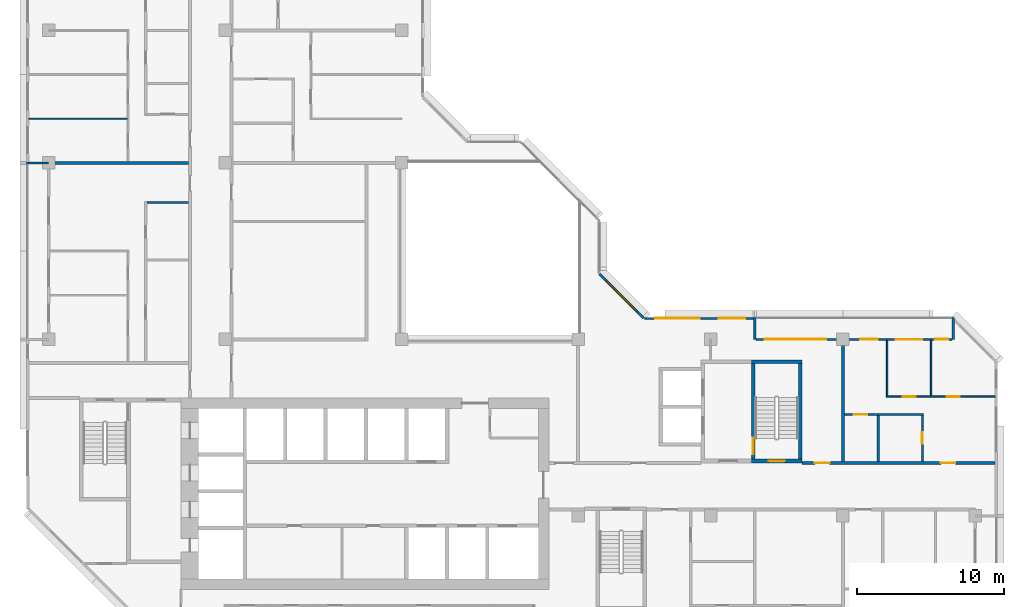
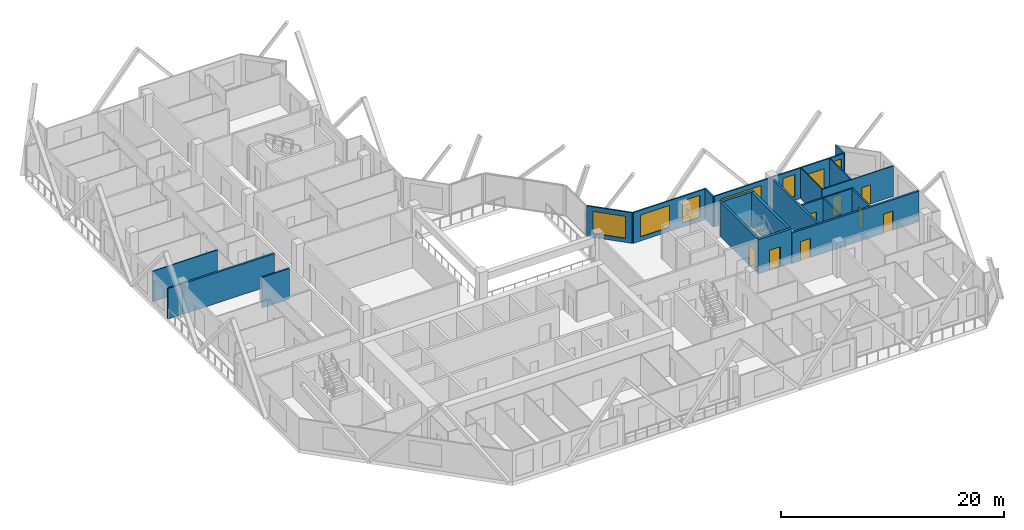
# One storey, part 8 of 16: 21 walls, 9 doors, 6 windows, 15 openings.
"""IFC4 building model written with IfcOpenShell, lengths in metres."""

from ifc_helpers import new_model, si_unit, direction, frame, frame_2d, origin, place, context, subcontext, project, spatial, rectangle, extrude, material, layer, layer_set, type_object, element, fill, save


model = new_model("IFC4")

# Units and contexts
model_context = context("Model", 3, precision=1e-05, world=origin(), true_north=direction((0.0, 1.0)))
body_context = subcontext(model_context, "Body", "Model", "MODEL_VIEW")
ifc_project = project(units=[si_unit("LENGTHUNIT", "METRE"), si_unit("AREAUNIT", "SQUARE_METRE"), si_unit("VOLUMEUNIT", "CUBIC_METRE"), si_unit("PLANEANGLEUNIT", "RADIAN"), si_unit("MASSUNIT", "GRAM", prefix="KILO")], contexts=[model_context])

# Site, building, storey
site_placement = place(None, origin())
site = spatial("IfcSite", under=ifc_project, at=site_placement, CompositionType="ELEMENT")
building_placement = place(site_placement, origin())
building = spatial("IfcBuilding", under=site, at=building_placement, Name="Chenar Terraces", CompositionType="ELEMENT")
storey_placement = place(building_placement, frame((0.0, 0.0, 219.14990234375)))
storey = spatial("IfcBuildingStorey", under=building, at=storey_placement, Name="L51", CompositionType="ELEMENT", Elevation=219.14990234375)

# Wall, opening, door
ifc_material_1 = material(Name="Concrete C60/75", Category="concrete")
ifc_layer_1 = layer(ifc_material_1, 0.25)
ifc_layer_set_1 = layer_set([ifc_layer_1], Name="Concrete C60/75")
wall_type_1 = type_object("IfcWallType", Name="Core wall 250 Concrete C60/75", PredefinedType="SHEAR", material=ifc_layer_set_1)
wall_1_placement = place(storey_placement, frame((47.77490234375, 15.72509765625, 0.0), z_axis=(0.0, 0.0, 1.0), x_axis=(1.0, 0.0, 0.0)))
wall_1 = element("IfcWall", 1, at=wall_1_placement, inside=storey, type_object=wall_type_1, Name="Core wall ST3_S L51", PredefinedType="SHEAR", context=body_context, shape_type="SweptSolid", body=[
    extrude(rectangle(XDim=3.4501953125, YDim=0.25, at=frame_2d((1.72509765625, 0.0))), origin(), (0.0, 0.0, 1.0), 3.75),
])
opening_1_placement = place(wall_1_placement, frame((1.175048828125, 0.0, 0.0)))
opening_1 = element("IfcOpeningElement", 2, at=opening_1_placement, cuts=wall_1, Name="Opening DL51-C8", PredefinedType="OPENING", context=body_context, shape_type="SweptSolid", body=[
    extrude(rectangle(XDim=1.10009765625, YDim=2.199951171875, at=frame_2d((0.550048828125, 1.10009765625))), frame((0.0, 0.135009765625, 0.0), z_axis=(0.0, -1.0, 0.0), x_axis=(1.0, 0.0, 0.0)), (0.0, 0.0, 1.0), 0.27001953125),
])
ifc_material_2 = material(Name="Steel-framed fire-resisting door leaf", Category="steel")
door_type_1 = type_object("IfcDoorType", Name="Stair fire door FD60 1100 x 2200", OperationType="SINGLE_SWING_LEFT", PredefinedType="DOOR", material=ifc_material_2)
door_1_placement = place(opening_1_placement, frame((1.10009765625, 0.0, 0.0), z_axis=(0.0, 0.0, 1.0), x_axis=(-1.0, 0.0, 0.0)))
door_1 = element("IfcDoor", 3, at=door_1_placement, inside=storey, type_object=door_type_1, Name="Stair door DL51-C8", OperationType="SINGLE_SWING_LEFT", OverallHeight=2.199951171875, OverallWidth=1.10009765625, PredefinedType="DOOR", context=body_context, shape_type="SweptSolid", body=[
    extrude(rectangle(XDim=1.10009765625, YDim=2.199951171875, at=frame_2d((0.550048828125, 1.10009765625))), frame((0.0, 0.02490234375, 0.0), z_axis=(0.0, -1.0, 0.0), x_axis=(1.0, 0.0, 0.0)), (0.0, 0.0, 1.0), 0.050048828125),
])
fill(opening_1, door_1)

# Wall
wall_2_placement = place(storey_placement, frame((47.77490234375, 22.47509765625, 0.0), z_axis=(0.0, 0.0, 1.0), x_axis=(1.0, 0.0, 0.0)))
element("IfcWall", 4, at=wall_2_placement, inside=storey, type_object=wall_type_1, Name="Core wall ST3_N L51", PredefinedType="SHEAR", context=body_context, shape_type="SweptSolid", body=[
    extrude(rectangle(XDim=3.4501953125, YDim=0.25, at=frame_2d((1.72509765625, 0.0))), origin(), (0.0, 0.0, 1.0), 3.75),
])

# Wall, opening, door
wall_3_placement = place(storey_placement, frame((47.89990234375, 15.85009765625, 0.0), z_axis=(0.0, 0.0, 1.0), x_axis=(0.0, 1.0, 0.0)))
wall_3 = element("IfcWall", 5, at=wall_3_placement, inside=storey, type_object=wall_type_1, Name="Core wall ST3_W L51", PredefinedType="SHEAR", context=body_context, shape_type="SweptSolid", body=[
    extrude(rectangle(XDim=6.5, YDim=0.25, at=frame_2d((3.25, 0.0))), origin(), (0.0, 0.0, 1.0), 3.75),
])
opening_2_placement = place(wall_3_placement, frame((0.35009765625, 0.0, 0.0)))
opening_2 = element("IfcOpeningElement", 6, at=opening_2_placement, cuts=wall_3, Name="Opening DL51-C11", PredefinedType="OPENING", context=body_context, shape_type="SweptSolid", body=[
    extrude(rectangle(XDim=1.10009765625, YDim=2.199951171875, at=frame_2d((0.550048828125, 1.10009765625))), frame((0.0, 0.135009765625, 0.0), z_axis=(0.0, -1.0, 0.0), x_axis=(1.0, 0.0, 0.0)), (0.0, 0.0, 1.0), 0.27001953125),
])
door_2_placement = place(opening_2_placement, frame((1.10009765625, 0.0, 0.0), z_axis=(0.0, 0.0, 1.0), x_axis=(-1.0, 0.0, 0.0)))
door_2 = element("IfcDoor", 7, at=door_2_placement, inside=storey, type_object=door_type_1, Name="Stair door DL51-C11", OperationType="SINGLE_SWING_RIGHT", OverallHeight=2.199951171875, OverallWidth=1.10009765625, PredefinedType="DOOR", context=body_context, shape_type="SweptSolid", body=[
    extrude(rectangle(XDim=1.10009765625, YDim=2.199951171875, at=frame_2d((0.550048828125, 1.10009765625))), frame((0.0, 0.02490234375, 0.0), z_axis=(0.0, -1.0, 0.0), x_axis=(1.0, 0.0, 0.0)), (0.0, 0.0, 1.0), 0.050048828125),
])
fill(opening_2, door_2)

# Wall
wall_4_placement = place(storey_placement, frame((51.10009765625, 15.85009765625, 0.0), z_axis=(0.0, 0.0, 1.0), x_axis=(0.0, 1.0, 0.0)))
element("IfcWall", 8, at=wall_4_placement, inside=storey, type_object=wall_type_1, Name="Core wall ST3_E L51", PredefinedType="SHEAR", context=body_context, shape_type="SweptSolid", body=[
    extrude(rectangle(XDim=6.5, YDim=0.25, at=frame_2d((3.25, 0.0))), origin(), (0.0, 0.0, 1.0), 3.75),
])

# Wall, openings, doors
ifc_material_3 = material(Name="Gypsum board on steel studs with fire boards", Category="steel")
ifc_layer_2 = layer(ifc_material_3, 0.199951171875)
ifc_layer_set_2 = layer_set([ifc_layer_2], Name="Gypsum board on steel studs with fire boards")
wall_type_2 = type_object("IfcWallType", Name="Corridor wall 200", PredefinedType="PARTITIONING", material=ifc_layer_set_2)
wall_5_placement = place(storey_placement, frame((51.22509765625, 15.60009765625, 0.0), z_axis=(0.0, 0.0, 1.0), x_axis=(1.0, 0.0, 0.0)))
wall_5 = element("IfcWall", 9, at=wall_5_placement, inside=storey, type_object=wall_type_2, Name="Partition L51-076", PredefinedType="PARTITIONING", context=body_context, shape_type="SweptSolid", body=[
    extrude(rectangle(XDim=13.125, YDim=0.199951171875, at=frame_2d((6.5625, 0.0))), origin(), (0.0, 0.0, 1.0), 3.35009765625),
])
opening_3_placement = place(wall_5_placement, frame((9.425048828125, 0.0, 0.0)))
opening_3 = element("IfcOpeningElement", 10, at=opening_3_placement, cuts=wall_5, Name="Opening DL51-8", PredefinedType="OPENING", context=body_context, shape_type="SweptSolid", body=[
    extrude(rectangle(XDim=1.0, YDim=2.10009765625, at=frame_2d((0.5, 1.050048828125))), frame((0.0, 0.10986328125, 0.0), z_axis=(0.0, -1.0, 0.0), x_axis=(1.0, 0.0, 0.0)), (0.0, 0.0, 1.0), 0.219970703125),
])
opening_4_placement = place(wall_5_placement, frame((0.875, 0.0, 0.0)))
opening_4 = element("IfcOpeningElement", 11, at=opening_4_placement, cuts=wall_5, Name="Opening DL51-42", PredefinedType="OPENING", context=body_context, shape_type="SweptSolid", body=[
    extrude(rectangle(XDim=1.0, YDim=2.10009765625, at=frame_2d((0.5, 1.050048828125))), frame((0.0, 0.10986328125, 0.0), z_axis=(0.0, -1.0, 0.0), x_axis=(1.0, 0.0, 0.0)), (0.0, 0.0, 1.0), 0.219970703125),
])
ifc_material_4 = material(Name="Steel-framed fire-resisting door leaf", Category="steel")
door_type_2 = type_object("IfcDoorType", Name="Fire door FD30S 1000 x 2100", OperationType="SINGLE_SWING_LEFT", PredefinedType="DOOR", material=ifc_material_4)
door_3_placement = place(opening_3_placement, origin())
door_3 = element("IfcDoor", 12, at=door_3_placement, inside=storey, type_object=door_type_2, Name="Door DL51-8", OperationType="SINGLE_SWING_LEFT", OverallHeight=2.10009765625, OverallWidth=1.0, PredefinedType="DOOR", context=body_context, shape_type="SweptSolid", body=[
    extrude(rectangle(XDim=1.0, YDim=2.10009765625, at=frame_2d((0.5, 1.050048828125))), frame((0.0, 0.02490234375, 0.0), z_axis=(0.0, -1.0, 0.0), x_axis=(1.0, 0.0, 0.0)), (0.0, 0.0, 1.0), 0.050048828125),
])
fill(opening_3, door_3)
door_4_placement = place(opening_4_placement, origin())
door_4 = element("IfcDoor", 13, at=door_4_placement, inside=storey, type_object=door_type_2, Name="Door DL51-42", OperationType="SINGLE_SWING_RIGHT", OverallHeight=2.10009765625, OverallWidth=1.0, PredefinedType="DOOR", context=body_context, shape_type="SweptSolid", body=[
    extrude(rectangle(XDim=1.0, YDim=2.10009765625, at=frame_2d((0.5, 1.050048828125))), frame((0.0, 0.02490234375, 0.0), z_axis=(0.0, -1.0, 0.0), x_axis=(1.0, 0.0, 0.0)), (0.0, 0.0, 1.0), 0.050048828125),
])
fill(opening_4, door_4)

# Wall, openings, windows
ifc_material_5 = material(Name="Aluminium framed glazing", Category="aluminium")
ifc_layer_3 = layer(ifc_material_5, 0.14990234375)
ifc_layer_set_3 = layer_set([ifc_layer_3], Name="Aluminium framed glazing")
wall_type_3 = type_object("IfcWallType", Name="Glazed flush facade wall 150", PredefinedType="SOLIDWALL", material=ifc_layer_set_3)
wall_6_placement = place(storey_placement, frame((47.925048828125, 25.425048828125, 0.0), z_axis=(0.0, 0.0, 1.0), x_axis=(-1.0, 0.0, 0.0)))
wall_6 = element("IfcWall", 14, at=wall_6_placement, inside=storey, type_object=wall_type_3, Name="Glazed flush facade wall", PredefinedType="SOLIDWALL", context=body_context, shape_type="SweptSolid", body=[
    extrude(rectangle(XDim=7.425048828125, YDim=0.14990234375, at=frame_2d((3.71240234375, 0.0))), origin(), (0.0, 0.0, 1.0), 3.35009765625),
])
opening_5_placement = place(wall_6_placement, frame((0.5625, 0.0, 0.449951171875)))
opening_5 = element("IfcOpeningElement", 15, at=opening_5_placement, cuts=wall_6, Name="Opening W180x240", PredefinedType="OPENING", context=body_context, shape_type="SweptSolid", body=[
    extrude(rectangle(XDim=1.800048828125, YDim=2.39990234375, at=frame_2d((0.89990234375, 1.199951171875))), frame((0.0, 0.0849609375, 0.0), z_axis=(0.0, -1.0, 0.0), x_axis=(1.0, 0.0, 0.0)), (0.0, 0.0, 1.0), 0.169921875),
])
opening_6_placement = place(wall_6_placement, frame((3.675048828125, 0.0, 0.449951171875)))
opening_6 = element("IfcOpeningElement", 16, at=opening_6_placement, cuts=wall_6, Name="Opening W300x240", PredefinedType="OPENING", context=body_context, shape_type="SweptSolid", body=[
    extrude(rectangle(XDim=3.0, YDim=2.39990234375, at=frame_2d((1.5, 1.199951171875))), frame((0.0, 0.0849609375, 0.0), z_axis=(0.0, -1.0, 0.0), x_axis=(1.0, 0.0, 0.0)), (0.0, 0.0, 1.0), 0.169921875),
])
ifc_material_6 = material(Name="Low emissivity double glazing, aluminium frame", Category="aluminium")
window_type_1 = type_object("IfcWindowType", Name="Fixed light 1800 x 2400", PartitioningType="SINGLE_PANEL", PredefinedType="WINDOW", material=ifc_material_6)
window_1_placement = place(opening_5_placement, origin())
window_1 = element("IfcWindow", 17, at=window_1_placement, inside=storey, type_object=window_type_1, Name="Window", OverallHeight=2.39990234375, OverallWidth=1.800048828125, PartitioningType="SINGLE_PANEL", PredefinedType="WINDOW", context=body_context, shape_type="SweptSolid", body=[
    extrude(rectangle(XDim=1.800048828125, YDim=2.39990234375, at=frame_2d((0.89990234375, 1.199951171875))), frame((0.0, 0.030029296875, 0.0), z_axis=(0.0, -1.0, 0.0), x_axis=(1.0, 0.0, 0.0)), (0.0, 0.0, 1.0), 0.06005859375),
])
fill(opening_5, window_1)
ifc_material_7 = material(Name="Low emissivity double glazing, aluminium frame", Category="aluminium")
window_type_2 = type_object("IfcWindowType", Name="Fixed light 3000 x 2400", PartitioningType="SINGLE_PANEL", PredefinedType="WINDOW", material=ifc_material_7)
window_2_placement = place(opening_6_placement, origin())
window_2 = element("IfcWindow", 18, at=window_2_placement, inside=storey, type_object=window_type_2, Name="Window", OverallHeight=2.39990234375, OverallWidth=3.0, PartitioningType="SINGLE_PANEL", PredefinedType="WINDOW", context=body_context, shape_type="SweptSolid", body=[
    extrude(rectangle(XDim=3.0, YDim=2.39990234375, at=frame_2d((1.5, 1.199951171875))), frame((0.0, 0.030029296875, 0.0), z_axis=(0.0, -1.0, 0.0), x_axis=(1.0, 0.0, 0.0)), (0.0, 0.0, 1.0), 0.06005859375),
])
fill(opening_6, window_2)

# Wall, openings, windows, door
ifc_material_8 = material(Name="Aluminium framed glazing", Category="aluminium")
ifc_layer_4 = layer(ifc_material_8, 0.14990234375)
ifc_layer_set_4 = layer_set([ifc_layer_4], Name="Aluminium framed glazing")
wall_type_4 = type_object("IfcWallType", Name="Glazed loggia back wall 150", PredefinedType="SOLIDWALL", material=ifc_layer_set_4)
wall_7_placement = place(storey_placement, frame((61.425048828125, 24.0, 0.0), z_axis=(0.0, 0.0, 1.0), x_axis=(-1.0, 0.0, 0.0)))
wall_7 = element("IfcWall", 19, at=wall_7_placement, inside=storey, type_object=wall_type_4, Name="Glazed loggia back wall", PredefinedType="SOLIDWALL", context=body_context, shape_type="SweptSolid", body=[
    extrude(rectangle(XDim=13.35009765625, YDim=0.14990234375, at=frame_2d((6.675048828125, 0.0))), origin(), (0.0, 0.0, 1.0), 3.35009765625),
])
opening_7_placement = place(wall_7_placement, frame((0.262451171875, 0.0, 0.449951171875)))
opening_7 = element("IfcOpeningElement", 20, at=opening_7_placement, cuts=wall_7, Name="Opening W90x240", PredefinedType="OPENING", context=body_context, shape_type="SweptSolid", body=[
    extrude(rectangle(XDim=0.89990234375, YDim=2.39990234375, at=frame_2d((0.449951171875, 1.199951171875))), frame((0.0, 0.0849609375, 0.0), z_axis=(0.0, -1.0, 0.0), x_axis=(1.0, 0.0, 0.0)), (0.0, 0.0, 1.0), 0.169921875),
])
opening_8_placement = place(wall_7_placement, frame((2.02490234375, 0.0, 0.0)))
opening_8 = element("IfcOpeningElement", 21, at=opening_8_placement, cuts=wall_7, Name="Opening DL51-G1", PredefinedType="OPENING", context=body_context, shape_type="SweptSolid", body=[
    extrude(rectangle(XDim=1.800048828125, YDim=2.39990234375, at=frame_2d((0.89990234375, 1.199951171875))), frame((0.0, 0.0849609375, 0.0), z_axis=(0.0, -1.0, 0.0), x_axis=(1.0, 0.0, 0.0)), (0.0, 0.0, 1.0), 0.169921875),
])
opening_9_placement = place(wall_7_placement, frame((5.0625, 0.0, 0.449951171875)))
opening_9 = element("IfcOpeningElement", 22, at=opening_9_placement, cuts=wall_7, Name="Opening W120x240", PredefinedType="OPENING", context=body_context, shape_type="SweptSolid", body=[
    extrude(rectangle(XDim=1.199951171875, YDim=2.39990234375, at=frame_2d((0.60009765625, 1.199951171875))), frame((0.0, 0.0849609375, 0.0), z_axis=(0.0, -1.0, 0.0), x_axis=(1.0, 0.0, 0.0)), (0.0, 0.0, 1.0), 0.169921875),
])
opening_10_placement = place(wall_7_placement, frame((8.550048828125, 0.0, 0.449951171875)))
opening_10 = element("IfcOpeningElement", 23, at=opening_10_placement, cuts=wall_7, Name="Opening W420x240", PredefinedType="OPENING", context=body_context, shape_type="SweptSolid", body=[
    extrude(rectangle(XDim=4.199951171875, YDim=2.39990234375, at=frame_2d((2.10009765625, 1.199951171875))), frame((0.0, 0.0849609375, 0.0), z_axis=(0.0, -1.0, 0.0), x_axis=(1.0, 0.0, 0.0)), (0.0, 0.0, 1.0), 0.169921875),
])
ifc_material_9 = material(Name="Low emissivity double glazing, aluminium frame", Category="aluminium")
window_type_3 = type_object("IfcWindowType", Name="Fixed light 1200 x 2400", PartitioningType="SINGLE_PANEL", PredefinedType="WINDOW", material=ifc_material_9)
window_3_placement = place(opening_9_placement, origin())
window_3 = element("IfcWindow", 24, at=window_3_placement, inside=storey, type_object=window_type_3, Name="Window", OverallHeight=2.39990234375, OverallWidth=1.199951171875, PartitioningType="SINGLE_PANEL", PredefinedType="WINDOW", context=body_context, shape_type="SweptSolid", body=[
    extrude(rectangle(XDim=1.199951171875, YDim=2.39990234375, at=frame_2d((0.60009765625, 1.199951171875))), frame((0.0, 0.030029296875, 0.0), z_axis=(0.0, -1.0, 0.0), x_axis=(1.0, 0.0, 0.0)), (0.0, 0.0, 1.0), 0.06005859375),
])
fill(opening_9, window_3)
ifc_material_10 = material(Name="Low emissivity double glazing, aluminium frame", Category="aluminium")
window_type_4 = type_object("IfcWindowType", Name="Fixed light 4200 x 2400", PartitioningType="SINGLE_PANEL", PredefinedType="WINDOW", material=ifc_material_10)
window_4_placement = place(opening_10_placement, origin())
window_4 = element("IfcWindow", 25, at=window_4_placement, inside=storey, type_object=window_type_4, Name="Window", OverallHeight=2.39990234375, OverallWidth=4.199951171875, PartitioningType="SINGLE_PANEL", PredefinedType="WINDOW", context=body_context, shape_type="SweptSolid", body=[
    extrude(rectangle(XDim=4.199951171875, YDim=2.39990234375, at=frame_2d((2.10009765625, 1.199951171875))), frame((0.0, 0.030029296875, 0.0), z_axis=(0.0, -1.0, 0.0), x_axis=(1.0, 0.0, 0.0)), (0.0, 0.0, 1.0), 0.06005859375),
])
fill(opening_10, window_4)
ifc_material_11 = material(Name="Low emissivity double glazing, aluminium frame", Category="aluminium")
window_type_5 = type_object("IfcWindowType", Name="Fixed light 900 x 2400", PartitioningType="SINGLE_PANEL", PredefinedType="WINDOW", material=ifc_material_11)
window_5_placement = place(opening_7_placement, origin())
window_5 = element("IfcWindow", 26, at=window_5_placement, inside=storey, type_object=window_type_5, Name="Window", OverallHeight=2.39990234375, OverallWidth=0.89990234375, PartitioningType="SINGLE_PANEL", PredefinedType="WINDOW", context=body_context, shape_type="SweptSolid", body=[
    extrude(rectangle(XDim=0.89990234375, YDim=2.39990234375, at=frame_2d((0.449951171875, 1.199951171875))), frame((0.0, 0.030029296875, 0.0), z_axis=(0.0, -1.0, 0.0), x_axis=(1.0, 0.0, 0.0)), (0.0, 0.0, 1.0), 0.06005859375),
])
fill(opening_7, window_5)
ifc_material_12 = material(Name="Low emissivity double glazing, aluminium frame", Category="aluminium")
door_type_3 = type_object("IfcDoorType", Name="Loggia glazed double door 1800 x 2400", OperationType="DOUBLE_DOOR_SINGLE_SWING", PredefinedType="DOOR", material=ifc_material_12)
door_5_placement = place(opening_8_placement, frame((1.800048828125, 0.0, 0.0), z_axis=(0.0, 0.0, 1.0), x_axis=(-1.0, 0.0, 0.0)))
door_5 = element("IfcDoor", 27, at=door_5_placement, inside=storey, type_object=door_type_3, Name="Loggia glazed door", OperationType="DOUBLE_DOOR_SINGLE_SWING", OverallHeight=2.39990234375, OverallWidth=1.800048828125, PredefinedType="DOOR", context=body_context, shape_type="SweptSolid", body=[
    extrude(rectangle(XDim=1.800048828125, YDim=2.39990234375, at=frame_2d((0.89990234375, 1.199951171875))), frame((0.0, 0.02490234375, 0.0), z_axis=(0.0, -1.0, 0.0), x_axis=(1.0, 0.0, 0.0)), (0.0, 0.0, 1.0), 0.050048828125),
])
fill(opening_8, door_5)

# Wall
ifc_material_13 = material(Name="Gypsum board on steel studs", Category="steel")
ifc_layer_5 = layer(ifc_material_13, 0.10009765625)
ifc_layer_set_5 = layer_set([ifc_layer_5], Name="Gypsum board on steel studs")
wall_type_5 = type_object("IfcWallType", Name="Gypsum partition 100", PredefinedType="PARTITIONING", material=ifc_layer_set_5)
wall_8_placement = place(storey_placement, frame((-1.35107421875, 39.0, 0.0), z_axis=(0.0, 0.0, 1.0), x_axis=(1.0, 0.0, 0.0)))
element("IfcWall", 28, at=wall_8_placement, inside=storey, type_object=wall_type_5, Name="Partition L51-001", PredefinedType="PARTITIONING", context=body_context, shape_type="SweptSolid", body=[
    extrude(rectangle(XDim=6.701171875, YDim=0.10009765625, at=frame_2d((3.3505859375, 0.0))), origin(), (0.0, 0.0, 1.0), 3.35009765625),
])

# Wall, openings, doors
wall_9_placement = place(storey_placement, frame((56.949951171875, 20.10009765625, 0.0), z_axis=(0.0, 0.0, 1.0), x_axis=(1.0, 0.0, 0.0)))
wall_9 = element("IfcWall", 29, at=wall_9_placement, inside=storey, type_object=wall_type_5, Name="Partition L51-084", PredefinedType="PARTITIONING", context=body_context, shape_type="SweptSolid", body=[
    extrude(rectangle(XDim=7.400146484375, YDim=0.10009765625, at=frame_2d((3.7001953125, 0.0))), origin(), (0.0, 0.0, 1.0), 3.35009765625),
])
opening_11_placement = place(wall_9_placement, frame((1.10009765625, 0.0, 0.0)))
opening_11 = element("IfcOpeningElement", 30, at=opening_11_placement, cuts=wall_9, Name="Opening DL51-5", PredefinedType="OPENING", context=body_context, shape_type="SweptSolid", body=[
    extrude(rectangle(XDim=0.89990234375, YDim=2.10009765625, at=frame_2d((0.449951171875, 1.050048828125))), frame((0.0, 0.06005859375, 0.0), z_axis=(0.0, -1.0, 0.0), x_axis=(1.0, 0.0, 0.0)), (0.0, 0.0, 1.0), 0.1201171875),
])
opening_12_placement = place(wall_9_placement, frame((4.10009765625, 0.0, 0.0)))
opening_12 = element("IfcOpeningElement", 31, at=opening_12_placement, cuts=wall_9, Name="Opening DL51-6", PredefinedType="OPENING", context=body_context, shape_type="SweptSolid", body=[
    extrude(rectangle(XDim=0.89990234375, YDim=2.10009765625, at=frame_2d((0.449951171875, 1.050048828125))), frame((0.0, 0.06005859375, 0.0), z_axis=(0.0, -1.0, 0.0), x_axis=(1.0, 0.0, 0.0)), (0.0, 0.0, 1.0), 0.1201171875),
])
ifc_material_14 = material(Name="Veneered timber door leaf", Category="wood")
door_type_4 = type_object("IfcDoorType", Name="Door 900 x 2100", OperationType="SINGLE_SWING_LEFT", PredefinedType="DOOR", material=ifc_material_14)
door_6_placement = place(opening_11_placement, origin())
door_6 = element("IfcDoor", 32, at=door_6_placement, inside=storey, type_object=door_type_4, Name="Door DL51-5", OperationType="SINGLE_SWING_LEFT", OverallHeight=2.10009765625, OverallWidth=0.89990234375, PredefinedType="DOOR", context=body_context, shape_type="SweptSolid", body=[
    extrude(rectangle(XDim=0.89990234375, YDim=2.10009765625, at=frame_2d((0.449951171875, 1.050048828125))), frame((0.0, 0.02490234375, 0.0), z_axis=(0.0, -1.0, 0.0), x_axis=(1.0, 0.0, 0.0)), (0.0, 0.0, 1.0), 0.050048828125),
])
fill(opening_11, door_6)
door_7_placement = place(opening_12_placement, origin())
door_7 = element("IfcDoor", 33, at=door_7_placement, inside=storey, type_object=door_type_4, Name="Door DL51-6", OperationType="SINGLE_SWING_LEFT", OverallHeight=2.10009765625, OverallWidth=0.89990234375, PredefinedType="DOOR", context=body_context, shape_type="SweptSolid", body=[
    extrude(rectangle(XDim=0.89990234375, YDim=2.10009765625, at=frame_2d((0.449951171875, 1.050048828125))), frame((0.0, 0.02490234375, 0.0), z_axis=(0.0, -1.0, 0.0), x_axis=(1.0, 0.0, 0.0)), (0.0, 0.0, 1.0), 0.050048828125),
])
fill(opening_12, door_7)

# Walls
for number, where, z_axis, x_axis, name in (
    (34, (57.0, 20.14990234375, 0.0), (0.0, 0.0, 1.0), (0.0, 1.0, 0.0), "Partition L51-086"),
    (35, (60.0, 20.14990234375, 0.0), (0.0, 0.0, 1.0), (0.0, 1.0, 0.0), "Partition L51-089"),
):
    element("IfcWall", number, at=place(storey_placement, frame(where, z_axis=z_axis, x_axis=x_axis)), inside=storey, type_object=wall_type_5, Name=name, PredefinedType="PARTITIONING", context=body_context, shape_type="SweptSolid", body=[
        extrude(rectangle(XDim=3.776123046875, YDim=0.10009765625, at=frame_2d((1.88818359375, 0.0))), origin(), (0.0, 0.0, 1.0), 3.35009765625),
    ])
ifc_material_15 = material(Name="Terracotta cladding on insulated backing", Category="masonry")
ifc_layer_6 = layer(ifc_material_15, 0.14990234375)
ifc_layer_set_6 = layer_set([ifc_layer_6], Name="Terracotta cladding on insulated backing")
wall_type_6 = type_object("IfcWallType", Name="Loggia return wall 150", PredefinedType="SOLIDWALL", material=ifc_layer_set_6)
for number, where, z_axis, x_axis, name in (
    (36, (61.5, 25.5, 0.0), (0.0, 0.0, 1.0), (0.0, -1.0, 0.0), "Loggia return wall"),
    (37, (48.0, 25.5, 0.0), (0.0, 0.0, 1.0), (0.0, -1.0, 0.0), "Loggia return wall"),
    (38, (-1.5, 36.0, 0.0), (0.0, 0.0, 1.0), (1.0, 0.0, 0.0), "Loggia return wall"),
):
    element("IfcWall", number, at=place(storey_placement, frame(where, z_axis=z_axis, x_axis=x_axis)), inside=storey, type_object=wall_type_6, Name=name, PredefinedType="SOLIDWALL", context=body_context, shape_type="SweptSolid", body=[
        extrude(rectangle(XDim=1.5, YDim=0.14990234375, at=frame_2d((0.75, 0.0))), origin(), (0.0, 0.0, 1.0), 3.35009765625),
    ])

# Wall, opening, window
ifc_material_16 = material(Name="Terracotta cladding on insulated backing", Category="masonry")
ifc_layer_7 = layer(ifc_material_16, 0.14990234375)
ifc_layer_set_7 = layer_set([ifc_layer_7], Name="Terracotta cladding on insulated backing")
wall_type_7 = type_object("IfcWallType", Name="Terracotta rainscreen wall 150", PredefinedType="SOLIDWALL", material=ifc_layer_set_7)
wall_10_placement = place(storey_placement, frame((40.447021484375, 25.447021484375, 0.0), z_axis=(0.0, 0.0, 1.0), x_axis=(-0.707106781187, 0.707106781187, 0.0)))
wall_10 = element("IfcWall", 39, at=wall_10_placement, inside=storey, type_object=wall_type_7, Name="Terracotta rainscreen wall", PredefinedType="SOLIDWALL", context=body_context, shape_type="SweptSolid", body=[
    extrude(rectangle(XDim=4.24267578125, YDim=0.14990234375, at=frame_2d((2.121337890625, 0.0))), origin(), (0.0, 0.0, 1.0), 3.35009765625),
])
opening_13_placement = place(wall_10_placement, frame((0.621337890625, 0.0, 0.449951171875)))
opening_13 = element("IfcOpeningElement", 40, at=opening_13_placement, cuts=wall_10, Name="Opening W300x240", PredefinedType="OPENING", context=body_context, shape_type="SweptSolid", body=[
    extrude(rectangle(XDim=3.0, YDim=2.39990234375, at=frame_2d((1.5, 1.199951171875))), frame((0.0, 0.0849609375, 0.0), z_axis=(0.0, -1.0, 0.0), x_axis=(1.0, 0.0, 0.0)), (0.0, 0.0, 1.0), 0.169921875),
])
window_6_placement = place(opening_13_placement, origin())
window_6 = element("IfcWindow", 41, at=window_6_placement, inside=storey, type_object=window_type_2, Name="Window", OverallHeight=2.39990234375, OverallWidth=3.0, PartitioningType="SINGLE_PANEL", PredefinedType="WINDOW", context=body_context, shape_type="SweptSolid", body=[
    extrude(rectangle(XDim=3.0, YDim=2.39990234375, at=frame_2d((1.5, 1.199951171875))), frame((0.0, 0.030029296875, 0.0), z_axis=(0.0, -1.0, 0.0), x_axis=(1.0, 0.0, 0.0)), (0.0, 0.0, 1.0), 0.06005859375),
])
fill(opening_13, window_6)

# Walls
ifc_material_17 = material(Name="Twin gypsum board on steel studs with mineral wool", Category="steel")
ifc_layer_8 = layer(ifc_material_17, 0.199951171875)
ifc_layer_set_8 = layer_set([ifc_layer_8], Name="Twin gypsum board on steel studs with mineral wool")
wall_type_8 = type_object("IfcWallType", Name="Unit demising wall 200", PredefinedType="PARTITIONING", material=ifc_layer_set_8)
wall_11_placement = place(storey_placement, frame((0.0, 36.0, 0.0), z_axis=(0.0, 0.0, 1.0), x_axis=(1.0, 0.0, 0.0)))
element("IfcWall", 42, at=wall_11_placement, inside=storey, type_object=wall_type_8, Name="Partition L51-005", PredefinedType="PARTITIONING", context=body_context, shape_type="SweptSolid", body=[
    extrude(rectangle(XDim=9.5, YDim=0.199951171875, at=frame_2d((4.75, 0.0))), origin(), (0.0, 0.0, 1.0), 3.35009765625),
])
wall_12_placement = place(storey_placement, frame((54.0, 15.699951171875, 0.0), z_axis=(0.0, 0.0, 1.0), x_axis=(0.0, 1.0, 0.0)))
element("IfcWall", 43, at=wall_12_placement, inside=storey, type_object=wall_type_8, Name="Partition L51-078", PredefinedType="PARTITIONING", context=body_context, shape_type="SweptSolid", body=[
    extrude(rectangle(XDim=8.22607421875, YDim=0.199951171875, at=frame_2d((4.113037109375, 0.0))), origin(), (0.0, 0.0, 1.0), 3.35009765625),
])
ifc_material_18 = material(Name="Moisture-resistant gypsum board on steel studs", Category="steel")
ifc_layer_9 = layer(ifc_material_18, 0.14990234375)
ifc_layer_set_9 = layer_set([ifc_layer_9], Name="Moisture-resistant gypsum board on steel studs")
wall_type_9 = type_object("IfcWallType", Name="Wet-room partition 150", PredefinedType="PARTITIONING", material=ifc_layer_set_9)
wall_13_placement = place(storey_placement, frame((6.675048828125, 33.300048828125, 0.0), z_axis=(0.0, 0.0, 1.0), x_axis=(1.0, 0.0, 0.0)))
element("IfcWall", 44, at=wall_13_placement, inside=storey, type_object=wall_type_9, Name="Partition L51-023", PredefinedType="PARTITIONING", context=body_context, shape_type="SweptSolid", body=[
    extrude(rectangle(XDim=2.824951171875, YDim=0.14990234375, at=frame_2d((1.41259765625, 0.0))), origin(), (0.0, 0.0, 1.0), 3.35009765625),
])

# Wall, opening, door
wall_14_placement = place(storey_placement, frame((54.10009765625, 18.89990234375, 0.0), z_axis=(0.0, 0.0, 1.0), x_axis=(1.0, 0.0, 0.0)))
wall_14 = element("IfcWall", 45, at=wall_14_placement, inside=storey, type_object=wall_type_9, Name="Partition L51-080", PredefinedType="PARTITIONING", context=body_context, shape_type="SweptSolid", body=[
    extrude(rectangle(XDim=5.375, YDim=0.14990234375, at=frame_2d((2.6875, 0.0))), origin(), (0.0, 0.0, 1.0), 3.35009765625),
])
opening_14_placement = place(wall_14_placement, frame((0.64990234375, 0.0, 0.0)))
opening_14 = element("IfcOpeningElement", 46, at=opening_14_placement, cuts=wall_14, Name="Opening DL51-7", PredefinedType="OPENING", context=body_context, shape_type="SweptSolid", body=[
    extrude(rectangle(XDim=0.89990234375, YDim=2.10009765625, at=frame_2d((0.449951171875, 1.050048828125))), frame((0.0, 0.0849609375, 0.0), z_axis=(0.0, -1.0, 0.0), x_axis=(1.0, 0.0, 0.0)), (0.0, 0.0, 1.0), 0.169921875),
])
door_8_placement = place(opening_14_placement, frame((0.89990234375, 0.0, 0.0), z_axis=(0.0, 0.0, 1.0), x_axis=(-1.0, 0.0, 0.0)))
door_8 = element("IfcDoor", 47, at=door_8_placement, inside=storey, type_object=door_type_4, Name="Door DL51-7", OperationType="SINGLE_SWING_LEFT", OverallHeight=2.10009765625, OverallWidth=0.89990234375, PredefinedType="DOOR", context=body_context, shape_type="SweptSolid", body=[
    extrude(rectangle(XDim=0.89990234375, YDim=2.10009765625, at=frame_2d((0.449951171875, 1.050048828125))), frame((0.0, 0.02490234375, 0.0), z_axis=(0.0, -1.0, 0.0), x_axis=(1.0, 0.0, 0.0)), (0.0, 0.0, 1.0), 0.050048828125),
])
fill(opening_14, door_8)

# Wall
wall_15_placement = place(storey_placement, frame((56.39990234375, 15.699951171875, 0.0), z_axis=(0.0, 0.0, 1.0), x_axis=(0.0, 1.0, 0.0)))
element("IfcWall", 48, at=wall_15_placement, inside=storey, type_object=wall_type_9, Name="Partition L51-081", PredefinedType="PARTITIONING", context=body_context, shape_type="SweptSolid", body=[
    extrude(rectangle(XDim=3.125, YDim=0.14990234375, at=frame_2d((1.5625, 0.0))), origin(), (0.0, 0.0, 1.0), 3.35009765625),
])

# Wall, opening, door
wall_16_placement = place(storey_placement, frame((59.39990234375, 15.699951171875, 0.0), z_axis=(0.0, 0.0, 1.0), x_axis=(0.0, 1.0, 0.0)))
wall_16 = element("IfcWall", 49, at=wall_16_placement, inside=storey, type_object=wall_type_9, Name="Partition L51-087", PredefinedType="PARTITIONING", context=body_context, shape_type="SweptSolid", body=[
    extrude(rectangle(XDim=3.125, YDim=0.14990234375, at=frame_2d((1.5625, 0.0))), origin(), (0.0, 0.0, 1.0), 3.35009765625),
])
opening_15_placement = place(wall_16_placement, frame((1.199951171875, 0.0, 0.0)))
opening_15 = element("IfcOpeningElement", 50, at=opening_15_placement, cuts=wall_16, Name="Opening DL51-4", PredefinedType="OPENING", context=body_context, shape_type="SweptSolid", body=[
    extrude(rectangle(XDim=0.800048828125, YDim=2.10009765625, at=frame_2d((0.39990234375, 1.050048828125))), frame((0.0, 0.0849609375, 0.0), z_axis=(0.0, -1.0, 0.0), x_axis=(1.0, 0.0, 0.0)), (0.0, 0.0, 1.0), 0.169921875),
])
ifc_material_19 = material(Name="Veneered timber door leaf", Category="wood")
door_type_5 = type_object("IfcDoorType", Name="Door 800 x 2100", OperationType="SINGLE_SWING_LEFT", PredefinedType="DOOR", material=ifc_material_19)
door_9_placement = place(opening_15_placement, origin())
door_9 = element("IfcDoor", 51, at=door_9_placement, inside=storey, type_object=door_type_5, Name="Door DL51-4", OperationType="SINGLE_SWING_RIGHT", OverallHeight=2.10009765625, OverallWidth=0.800048828125, PredefinedType="DOOR", context=body_context, shape_type="SweptSolid", body=[
    extrude(rectangle(XDim=0.800048828125, YDim=2.10009765625, at=frame_2d((0.39990234375, 1.050048828125))), frame((0.0, 0.02490234375, 0.0), z_axis=(0.0, -1.0, 0.0), x_axis=(1.0, 0.0, 0.0)), (0.0, 0.0, 1.0), 0.050048828125),
])
fill(opening_15, door_9)

save(model, "model.ifc")
